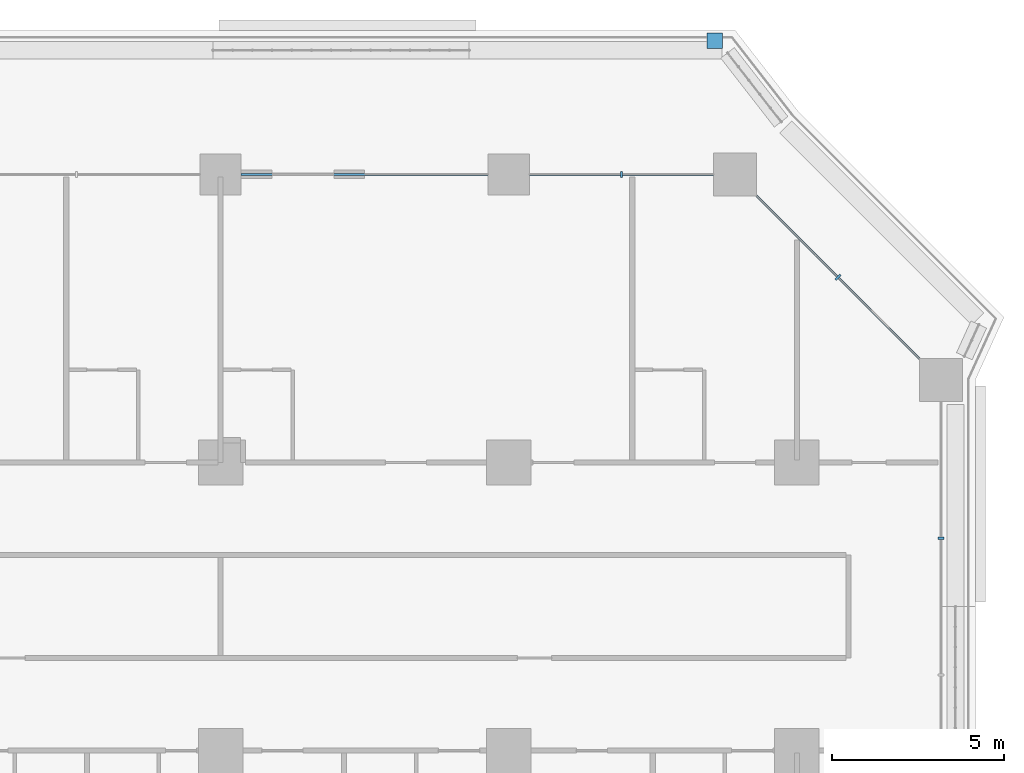
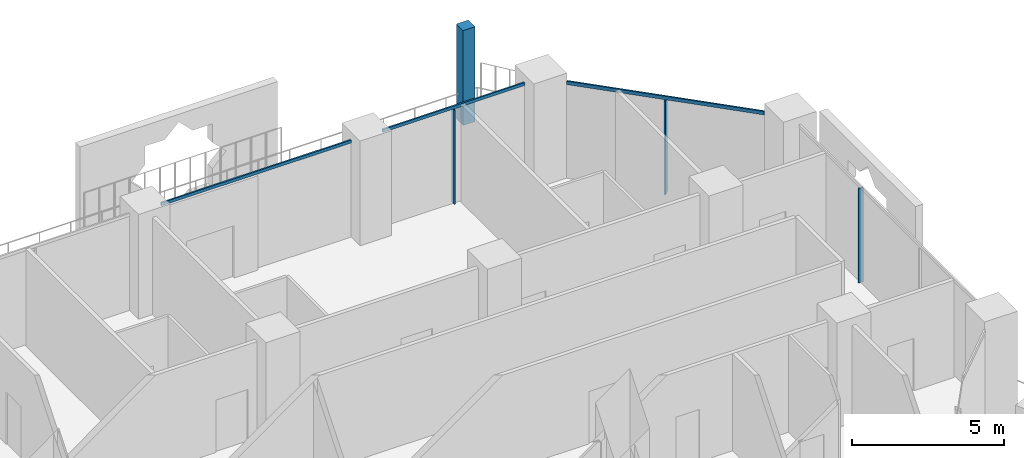
# One storey, part 10 of 28: 7 members, 4 elements without a shape of their own.
"""IFC4 building model written with IfcOpenShell, lengths in metres."""

from ifc_helpers import new_model, si_unit, direction, frame, origin, origin_2d, place, context, subcontext, project, spatial, rectangle, extrude, material, layer, layer_set, material_profile, profile_set, type_object, element, aggregate, save


model = new_model("IFC4")

# Units and contexts
model_context = context("Model", 3, precision=1e-05, world=origin(), true_north=direction((0.0, 1.0)))
body_context = subcontext(model_context, "Body", "Model", "MODEL_VIEW")
ifc_project = project(units=[si_unit("LENGTHUNIT", "METRE"), si_unit("AREAUNIT", "SQUARE_METRE"), si_unit("VOLUMEUNIT", "CUBIC_METRE"), si_unit("PLANEANGLEUNIT", "RADIAN"), si_unit("MASSUNIT", "GRAM", prefix="KILO")], contexts=[model_context])

# Site, building, storey
site_placement = place(None, origin())
site = spatial("IfcSite", under=ifc_project, at=site_placement, CompositionType="ELEMENT")
building_placement = place(site_placement, origin())
building = spatial("IfcBuilding", under=site, at=building_placement, Name="Kawkab Arch Medical Tower", CompositionType="ELEMENT")
storey_placement = place(building_placement, frame((0.0, 0.0, 81.199951171875)))
storey = spatial("IfcBuildingStorey", under=building, at=storey_placement, Name="L18", CompositionType="ELEMENT", Elevation=81.199951171875)

# Curtain wall, member
ifc_material_1 = material(Name="Bronze anodised aluminium curtain wall frame", Category="aluminium")
ifc_layer_1 = layer(ifc_material_1, 0.159912109375)
ifc_layer_set_1 = layer_set([ifc_layer_1], Name="Bronze anodised aluminium curtain wall frame")
curtain_wall_type_1 = type_object("IfcCurtainWallType", Name="CW1 ward curtain wall", PredefinedType="NOTDEFINED", material=ifc_layer_set_1)
placement = place(storey_placement, origin())
curtain_wall_1 = element("IfcCurtainWall", 1, at=placement, inside=storey, type_object=curtain_wall_type_1, Name="CW1 Ward curtain wall R09", PredefinedType="NOTDEFINED")
ifc_material_2 = material(Name="Bronze anodised aluminium curtain wall frame", Category="aluminium")
ifc_material_profile_1 = material_profile(ifc_material_2, rectangle(XDim=0.179931640625, YDim=0.06005859375, at=origin_2d()), Name="AL 60x180")
ifc_profile_set_1 = profile_set([ifc_material_profile_1], Name="Bronze anodised aluminium curtain wall frame")
member_type_1 = type_object("IfcMemberType", Name="CW1 mullion 60 x 180", PredefinedType="MULLION", material=ifc_profile_set_1)
member_1_placement = place(storey_placement, frame((79.800048828125, -10.6083984375, 0.0), z_axis=(0.0, 0.0, 1.0), x_axis=(-1.0, 0.0, 0.0)))
member_1 = element("IfcMember", 2, at=member_1_placement, type_object=member_type_1, Name="CW1 mullion 1.2", PredefinedType="MULLION", context=body_context, shape_type="SweptSolid", body=[
    extrude(rectangle(XDim=0.179931640625, YDim=0.06005859375, at=origin_2d()), origin(), (0.0, 0.0, 1.0), 3.780029296875),
])
aggregate(curtain_wall_1, [member_1])

# Curtain wall, members
curtain_wall_2 = element("IfcCurtainWall", 3, at=placement, inside=storey, type_object=curtain_wall_type_1, Name="CW1 Ward curtain wall R11", PredefinedType="NOTDEFINED")
member_2_placement = place(storey_placement, frame((70.487548828125, 0.0, 0.0), z_axis=(0.0, 0.0, 1.0), x_axis=(0.0, -1.0, 0.0)))
member_2 = element("IfcMember", 4, at=member_2_placement, type_object=member_type_1, Name="CW1 mullion 1.1", PredefinedType="MULLION", context=body_context, shape_type="SweptSolid", body=[
    extrude(rectangle(XDim=0.179931640625, YDim=0.06005859375, at=origin_2d()), origin(), (0.0, 0.0, 1.0), 3.780029296875),
])
ifc_material_3 = material(Name="Bronze anodised aluminium curtain wall frame", Category="aluminium")
ifc_material_profile_2 = material_profile(ifc_material_3, rectangle(XDim=0.06005859375, YDim=0.1201171875, at=origin_2d()), Name="AL 60x120")
ifc_profile_set_2 = profile_set([ifc_material_profile_2], Name="Bronze anodised aluminium curtain wall frame")
member_type_2 = type_object("IfcMemberType", Name="CW1 transom 120 x 60", PredefinedType="USERDEFINED", material=ifc_profile_set_2)
member_3_placement = place(storey_placement, frame((73.175048828125, 0.0, 3.840087890625), z_axis=(-1.0, 0.0, 0.0), x_axis=(0.0, -1.0, 0.0)))
member_3 = element("IfcMember", 5, at=member_3_placement, type_object=member_type_2, Name="CW1 transom 1", ObjectType="TRANSOM", PredefinedType="USERDEFINED", context=body_context, shape_type="SweptSolid", body=[
    extrude(rectangle(XDim=0.06005859375, YDim=0.1201171875, at=origin_2d()), origin(), (0.0, 0.0, 1.0), 5.375),
])
member_4_placement = place(storey_placement, frame((66.60009765625, 0.0, 3.840087890625), z_axis=(-1.0, 0.0, 0.0), x_axis=(0.0, -1.0, 0.0)))
member_4 = element("IfcMember", 6, at=member_4_placement, type_object=member_type_2, Name="CW1 transom 2", ObjectType="TRANSOM", PredefinedType="USERDEFINED", context=body_context, shape_type="SweptSolid", body=[
    extrude(rectangle(XDim=0.06005859375, YDim=0.1201171875, at=origin_2d()), origin(), (0.0, 0.0, 1.0), 7.2001953125),
])
aggregate(curtain_wall_2, [member_3, member_2, member_4])

ifc_material_4 = material(Name="Bronze anodised aluminium curtain wall frame", Category="aluminium")
ifc_layer_2 = layer(ifc_material_4, 0.159912109375)
ifc_layer_set_2 = layer_set([ifc_layer_2], Name="Bronze anodised aluminium curtain wall frame")
curtain_wall_type_2 = type_object("IfcCurtainWallType", Name="CW2 chamfer curtain wall", PredefinedType="NOTDEFINED", material=ifc_layer_set_2)
curtain_wall_3 = element("IfcCurtainWall", 7, at=placement, inside=storey, type_object=curtain_wall_type_2, Name="CW2 Chamfer curtain wall R10", PredefinedType="NOTDEFINED")
ifc_material_5 = material(Name="Bronze anodised aluminium curtain wall frame", Category="aluminium")
ifc_material_profile_3 = material_profile(ifc_material_5, rectangle(XDim=0.199951171875, YDim=0.06005859375, at=origin_2d()), Name="AL 60x200")
ifc_profile_set_3 = profile_set([ifc_material_profile_3], Name="Bronze anodised aluminium curtain wall frame")
member_type_3 = type_object("IfcMemberType", Name="CW2 mullion 60 x 200", PredefinedType="MULLION", material=ifc_profile_set_3)
member_5_placement = place(storey_placement, frame((76.800048828125, -3.0, 0.0), z_axis=(0.0, 0.0, 1.0), x_axis=(-0.707106781187, -0.707106781187, 0.0)))
member_5 = element("IfcMember", 8, at=member_5_placement, type_object=member_type_3, Name="CW2 mullion 1.1", PredefinedType="MULLION", context=body_context, shape_type="SweptSolid", body=[
    extrude(rectangle(XDim=0.199951171875, YDim=0.06005859375, at=origin_2d()), origin(), (0.0, 0.0, 1.0), 3.760009765625),
])
ifc_material_6 = material(Name="Bronze anodised aluminium curtain wall frame", Category="aluminium")
ifc_material_profile_4 = material_profile(ifc_material_6, rectangle(XDim=0.06005859375, YDim=0.139892578125, at=origin_2d()), Name="AL 60x140")
ifc_profile_set_4 = profile_set([ifc_material_profile_4], Name="Bronze anodised aluminium curtain wall frame")
member_type_4 = type_object("IfcMemberType", Name="CW2 transom 140 x 60", PredefinedType="USERDEFINED", material=ifc_profile_set_4)
member_6_placement = place(storey_placement, frame((79.175048828125, -5.375, 3.830078125), z_axis=(-0.707106781187, 0.707106781187, 0.0), x_axis=(-0.707106781187, -0.707106781187, 0.0)))
member_6 = element("IfcMember", 9, at=member_6_placement, type_object=member_type_4, Name="CW2 transom 1", ObjectType="TRANSOM", PredefinedType="USERDEFINED", context=body_context, shape_type="SweptSolid", body=[
    extrude(rectangle(XDim=0.06005859375, YDim=0.139892578125, at=origin_2d()), origin(), (0.0, 0.0, 1.0), 6.717529296875),
])
aggregate(curtain_wall_3, [member_6, member_5])

# Curtain wall, member
ifc_material_7 = material(Name="Bronze anodised aluminium climber frame, planted", Category="aluminium")
ifc_layer_3 = layer(ifc_material_7, 0.449951171875)
ifc_layer_set_3 = layer_set([ifc_layer_3], Name="Bronze anodised aluminium climber frame, planted")
curtain_wall_type_3 = type_object("IfcCurtainWallType", Name="Planted climber frame", PredefinedType="NOTDEFINED", material=ifc_layer_set_3)
curtain_wall_4 = element("IfcCurtainWall", 10, at=placement, inside=storey, type_object=curtain_wall_type_3, Name="Planted climber frame L18", PredefinedType="NOTDEFINED")
ifc_material_8 = material(Name="Bronze anodised aluminium climber frame, planted", Category="aluminium")
ifc_material_profile_5 = material_profile(ifc_material_8, rectangle(XDim=0.449951171875, YDim=0.449951171875, at=origin_2d()), Name="Post 450x450")
ifc_profile_set_5 = profile_set([ifc_material_profile_5], Name="Bronze anodised aluminium climber frame, planted")
member_type_5 = type_object("IfcMemberType", Name="Planted climber post 450 x 450", PredefinedType="MULLION", material=ifc_profile_set_5)
member_7_placement = place(storey_placement, frame((73.202880859375, 3.89990234375, 0.0), z_axis=(0.0, 0.0, 1.0), x_axis=(1.0, 0.0, 0.0)))
member_7 = element("IfcMember", 11, at=member_7_placement, type_object=member_type_5, Name="Planted climber post L18.LOG-01-01.4", PredefinedType="MULLION", context=body_context, shape_type="SweptSolid", body=[
    extrude(rectangle(XDim=0.449951171875, YDim=0.449951171875, at=origin_2d()), origin(), (0.0, 0.0, 1.0), 3.800048828125),
])
aggregate(curtain_wall_4, [member_7])

save(model, "model.ifc")
